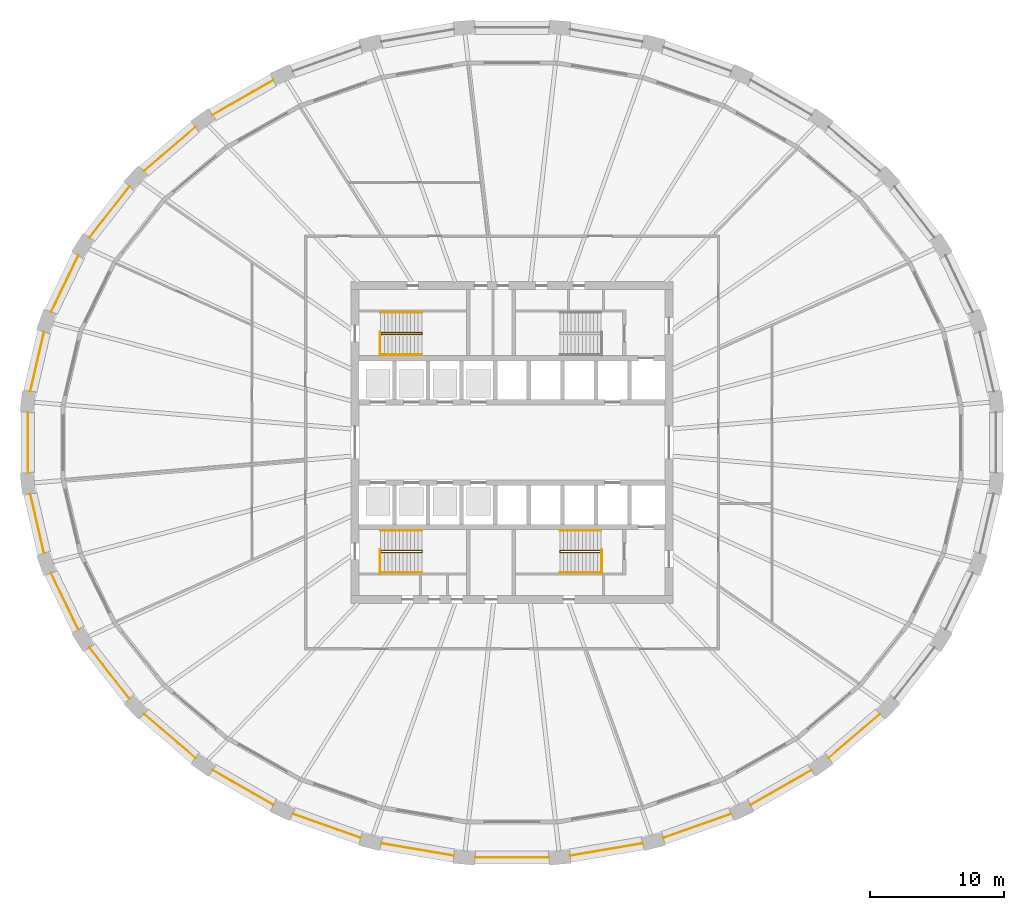
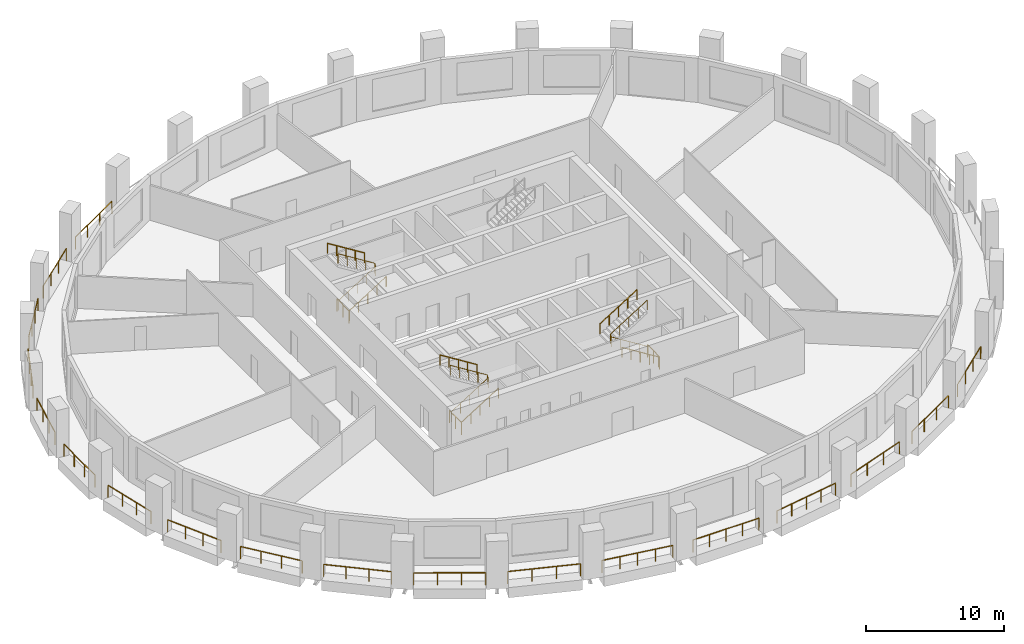
# One storey, part 8 of 10: 30 railings.
"""IFC4 building model written with IfcOpenShell, lengths in metres."""

from ifc_helpers import new_model, si_unit, direction, frame, origin, origin_2d, place, context, subcontext, project, spatial, circle, extrude, material, type_object, element, save


model = new_model("IFC4")

# Units and contexts
model_context = context("Model", 3, precision=1e-05, world=origin(), true_north=direction((0.0, 1.0)))
body_context = subcontext(model_context, "Body", "Model", "MODEL_VIEW")
ifc_project = project(units=[si_unit("LENGTHUNIT", "METRE"), si_unit("AREAUNIT", "SQUARE_METRE"), si_unit("VOLUMEUNIT", "CUBIC_METRE"), si_unit("PLANEANGLEUNIT", "RADIAN"), si_unit("MASSUNIT", "GRAM", prefix="KILO")], contexts=[model_context])

# Site, building, storey
site_placement = place(None, origin())
site = spatial("IfcSite", under=ifc_project, at=site_placement, CompositionType="ELEMENT")
building_placement = place(site_placement, origin())
building = spatial("IfcBuilding", under=site, at=building_placement, Name="Halqa Exchange Tower", CompositionType="ELEMENT")
storey_placement = place(building_placement, frame((0.0, 0.0, 86.5)))
storey = spatial("IfcBuildingStorey", under=building, at=storey_placement, Name="L19", CompositionType="ELEMENT", Elevation=86.5)

# Railings
ifc_material = material(Name="Stainless steel", Category="steel")
railing_type_1 = type_object("IfcRailingType", Name="Guard 1100 stainless steel", PredefinedType="GUARDRAIL", material=ifc_material)
railing_1_placement = place(storey_placement, frame((-17.801025390625, 27.034912109375, 0.0)))
element("IfcRailing", 1, at=railing_1_placement, inside=storey, type_object=railing_type_1, Name="Loggia guard 11", PredefinedType="GUARDRAIL", context=body_context, shape_type="SweptSolid", body=[
    extrude(circle(Radius=0.02392578125, at=origin_2d()), frame((0.0, 0.0, 1.076171875), z_axis=(-0.867755983437, -0.496990496096, 0.0), x_axis=(0.496990496096, -0.867755983437, 0.0)), (0.0, 0.0, 1.0), 5.216552734375),
    extrude(circle(Radius=0.02099609375, at=origin_2d()), origin(), (0.0, 0.0, 1.0), 1.052001953125),
    extrude(circle(Radius=0.02099609375, at=origin_2d()), frame((-1.5087890625, -0.8642578125, 0.0)), (0.0, 0.0, 1.0), 1.052001953125),
    extrude(circle(Radius=0.02099609375, at=origin_2d()), frame((-3.017822265625, -1.728271484375, 0.0)), (0.0, 0.0, 1.0), 1.052001953125),
    extrude(circle(Radius=0.02099609375, at=origin_2d()), frame((-4.526611328125, -2.592529296875, 0.0)), (0.0, 0.0, 1.0), 1.052001953125),
])
railing_2_placement = place(storey_placement, frame((-23.629150390625, 23.524169921875, 0.0)))
element("IfcRailing", 2, at=railing_2_placement, inside=storey, type_object=railing_type_1, Name="Loggia guard 12", PredefinedType="GUARDRAIL", context=body_context, shape_type="SweptSolid", body=[
    extrude(circle(Radius=0.02392578125, at=origin_2d()), frame((0.0, 0.0, 1.076171875), z_axis=(-0.759263460736, -0.650783371938, 0.0), x_axis=(0.650783371938, -0.759263460736, 0.0)), (0.0, 0.0, 1.0), 5.025390625),
    extrude(circle(Radius=0.02099609375, at=origin_2d()), origin(), (0.0, 0.0, 1.0), 1.052001953125),
    extrude(circle(Radius=0.02099609375, at=origin_2d()), frame((-1.27197265625, -1.090087890625, 0.0)), (0.0, 0.0, 1.0), 1.052001953125),
    extrude(circle(Radius=0.02099609375, at=origin_2d()), frame((-2.543701171875, -2.180419921875, 0.0)), (0.0, 0.0, 1.0), 1.052001953125),
    extrude(circle(Radius=0.02099609375, at=origin_2d()), frame((-3.815673828125, -3.2705078125, 0.0)), (0.0, 0.0, 1.0), 1.052001953125),
])
railing_3_placement = place(storey_placement, frame((-28.5439453125, 19.10205078125, 0.0)))
element("IfcRailing", 3, at=railing_3_placement, inside=storey, type_object=railing_type_1, Name="Loggia guard 13", PredefinedType="GUARDRAIL", context=body_context, shape_type="SweptSolid", body=[
    extrude(circle(Radius=0.02392578125, at=origin_2d()), frame((0.0, 0.0, 1.076171875), z_axis=(-0.614804814525, -0.788679301133, 0.0), x_axis=(0.788679301133, -0.614804814525, 0.0)), (0.0, 0.0, 1.0), 4.828857421875),
    extrude(circle(Radius=0.02099609375, at=origin_2d()), origin(), (0.0, 0.0, 1.0), 1.052001953125),
    extrude(circle(Radius=0.02099609375, at=origin_2d()), frame((-0.989501953125, -1.26953125, 0.0)), (0.0, 0.0, 1.0), 1.052001953125),
    extrude(circle(Radius=0.02099609375, at=origin_2d()), frame((-1.979248046875, -2.538818359375, 0.0)), (0.0, 0.0, 1.0), 1.052001953125),
    extrude(circle(Radius=0.02099609375, at=origin_2d()), frame((-2.96875, -3.808349609375, 0.0)), (0.0, 0.0, 1.0), 1.052001953125),
])
railing_4_placement = place(storey_placement, frame((-32.3525390625, 13.942626953125, 0.0)))
element("IfcRailing", 4, at=railing_4_placement, inside=storey, type_object=railing_type_1, Name="Loggia guard 14", PredefinedType="GUARDRAIL", context=body_context, shape_type="SweptSolid", body=[
    extrude(circle(Radius=0.02392578125, at=origin_2d()), frame((0.0, 0.0, 1.076171875), z_axis=(-0.435136078438, -0.900364700131, 0.0), x_axis=(0.900364700131, -0.435136078438, 0.0)), (0.0, 0.0, 1.0), 4.65673828125),
    extrude(circle(Radius=0.02099609375, at=origin_2d()), origin(), (0.0, 0.0, 1.0), 1.052001953125),
    extrude(circle(Radius=0.02099609375, at=origin_2d()), frame((-0.675537109375, -1.397705078125, 0.0)), (0.0, 0.0, 1.0), 1.052001953125),
    extrude(circle(Radius=0.02099609375, at=origin_2d()), frame((-1.350830078125, -2.795166015625, 0.0)), (0.0, 0.0, 1.0), 1.052001953125),
    extrude(circle(Radius=0.02099609375, at=origin_2d()), frame((-2.0263671875, -4.19287109375, 0.0)), (0.0, 0.0, 1.0), 1.052001953125),
])
railing_5_placement = place(storey_placement, frame((-34.90771484375, 8.25, 0.0)))
element("IfcRailing", 5, at=railing_5_placement, inside=storey, type_object=railing_type_1, Name="Loggia guard 15", PredefinedType="GUARDRAIL", context=body_context, shape_type="SweptSolid", body=[
    extrude(circle(Radius=0.02392578125, at=origin_2d()), frame((0.0, 0.0, 1.076171875), z_axis=(-0.226049512148, -0.974115813473, 0.0), x_axis=(0.974115813473, -0.226049512148, 0.0)), (0.0, 0.0, 1.0), 4.539306640625),
    extrude(circle(Radius=0.02099609375, at=origin_2d()), origin(), (0.0, 0.0, 1.0), 1.052001953125),
    extrude(circle(Radius=0.02099609375, at=origin_2d()), frame((-0.342041015625, -1.473876953125, 0.0)), (0.0, 0.0, 1.0), 1.052001953125),
    extrude(circle(Radius=0.02099609375, at=origin_2d()), frame((-0.68408203125, -2.947998046875, 0.0)), (0.0, 0.0, 1.0), 1.052001953125),
    extrude(circle(Radius=0.02099609375, at=origin_2d()), frame((-1.026123046875, -4.421875, 0.0)), (0.0, 0.0, 1.0), 1.052001953125),
])
railing_6_placement = place(storey_placement, frame((-36.11474609375, 2.248779296875, 0.0)))
element("IfcRailing", 6, at=railing_6_placement, inside=storey, type_object=railing_type_1, Name="Loggia guard 16", PredefinedType="GUARDRAIL", context=body_context, shape_type="SweptSolid", body=[
    extrude(circle(Radius=0.02392578125, at=origin_2d()), frame((0.0, 0.0, 1.076171875), z_axis=(0.0, -1.0, 0.0), x_axis=(1.0, 0.0, 0.0)), (0.0, 0.0, 1.0), 4.49755859375),
    extrude(circle(Radius=0.02099609375, at=origin_2d()), origin(), (0.0, 0.0, 1.0), 1.052001953125),
    extrude(circle(Radius=0.02099609375, at=origin_2d()), frame((0.0, -1.499267578125, 0.0)), (0.0, 0.0, 1.0), 1.052001953125),
    extrude(circle(Radius=0.02099609375, at=origin_2d()), frame((0.0, -2.998291015625, 0.0)), (0.0, 0.0, 1.0), 1.052001953125),
    extrude(circle(Radius=0.02099609375, at=origin_2d()), frame((0.0, -4.49755859375, 0.0)), (0.0, 0.0, 1.0), 1.052001953125),
])
railing_7_placement = place(storey_placement, frame((-35.933837890625, -3.828125, 0.0)))
element("IfcRailing", 7, at=railing_7_placement, inside=storey, type_object=railing_type_1, Name="Loggia guard 17", PredefinedType="GUARDRAIL", context=body_context, shape_type="SweptSolid", body=[
    extrude(circle(Radius=0.02392578125, at=origin_2d()), frame((0.0, 0.0, 1.076171875), z_axis=(0.226049512148, -0.974115813473, 0.0), x_axis=(0.974115813473, 0.226049512148, 0.0)), (0.0, 0.0, 1.0), 4.539306640625),
    extrude(circle(Radius=0.02099609375, at=origin_2d()), origin(), (0.0, 0.0, 1.0), 1.052001953125),
    extrude(circle(Radius=0.02099609375, at=origin_2d()), frame((0.342041015625, -1.473876953125, 0.0)), (0.0, 0.0, 1.0), 1.052001953125),
    extrude(circle(Radius=0.02099609375, at=origin_2d()), frame((0.68408203125, -2.947998046875, 0.0)), (0.0, 0.0, 1.0), 1.052001953125),
    extrude(circle(Radius=0.02099609375, at=origin_2d()), frame((1.026123046875, -4.421875, 0.0)), (0.0, 0.0, 1.0), 1.052001953125),
])
railing_8_placement = place(storey_placement, frame((-34.37890625, -9.749755859375, 0.0)))
element("IfcRailing", 8, at=railing_8_placement, inside=storey, type_object=railing_type_1, Name="Loggia guard 18", PredefinedType="GUARDRAIL", context=body_context, shape_type="SweptSolid", body=[
    extrude(circle(Radius=0.02392578125, at=origin_2d()), frame((0.0, 0.0, 1.076171875), z_axis=(0.435136078438, -0.900364700131, 0.0), x_axis=(0.900364700131, 0.435136078438, 0.0)), (0.0, 0.0, 1.0), 4.65673828125),
    extrude(circle(Radius=0.02099609375, at=origin_2d()), origin(), (0.0, 0.0, 1.0), 1.052001953125),
    extrude(circle(Radius=0.02099609375, at=origin_2d()), frame((0.675537109375, -1.397705078125, 0.0)), (0.0, 0.0, 1.0), 1.052001953125),
    extrude(circle(Radius=0.02099609375, at=origin_2d()), frame((1.350830078125, -2.795166015625, 0.0)), (0.0, 0.0, 1.0), 1.052001953125),
    extrude(circle(Radius=0.02099609375, at=origin_2d()), frame((2.0263671875, -4.19287109375, 0.0)), (0.0, 0.0, 1.0), 1.052001953125),
])
railing_9_placement = place(storey_placement, frame((-31.5126953125, -15.293701171875, 0.0)))
element("IfcRailing", 9, at=railing_9_placement, inside=storey, type_object=railing_type_1, Name="Loggia guard 19", PredefinedType="GUARDRAIL", context=body_context, shape_type="SweptSolid", body=[
    extrude(circle(Radius=0.02392578125, at=origin_2d()), frame((0.0, 0.0, 1.076171875), z_axis=(0.614804814525, -0.788679301133, 0.0), x_axis=(0.788679301133, 0.614804814525, 0.0)), (0.0, 0.0, 1.0), 4.828857421875),
    extrude(circle(Radius=0.02099609375, at=origin_2d()), origin(), (0.0, 0.0, 1.0), 1.052001953125),
    extrude(circle(Radius=0.02099609375, at=origin_2d()), frame((0.989501953125, -1.26953125, 0.0)), (0.0, 0.0, 1.0), 1.052001953125),
    extrude(circle(Radius=0.02099609375, at=origin_2d()), frame((1.979248046875, -2.538818359375, 0.0)), (0.0, 0.0, 1.0), 1.052001953125),
    extrude(circle(Radius=0.02099609375, at=origin_2d()), frame((2.96875, -3.808349609375, 0.0)), (0.0, 0.0, 1.0), 1.052001953125),
])
railing_10_placement = place(storey_placement, frame((-27.44482421875, -20.253662109375, 0.0)))
element("IfcRailing", 10, at=railing_10_placement, inside=storey, type_object=railing_type_1, Name="Loggia guard 20", PredefinedType="GUARDRAIL", context=body_context, shape_type="SweptSolid", body=[
    extrude(circle(Radius=0.02392578125, at=origin_2d()), frame((0.0, 0.0, 1.076171875), z_axis=(0.759263460736, -0.650783371938, 0.0), x_axis=(0.650783371938, 0.759263460736, 0.0)), (0.0, 0.0, 1.0), 5.025390625),
    extrude(circle(Radius=0.02099609375, at=origin_2d()), origin(), (0.0, 0.0, 1.0), 1.052001953125),
    extrude(circle(Radius=0.02099609375, at=origin_2d()), frame((1.27197265625, -1.090087890625, 0.0)), (0.0, 0.0, 1.0), 1.052001953125),
    extrude(circle(Radius=0.02099609375, at=origin_2d()), frame((2.543701171875, -2.180419921875, 0.0)), (0.0, 0.0, 1.0), 1.052001953125),
    extrude(circle(Radius=0.02099609375, at=origin_2d()), frame((3.815673828125, -3.2705078125, 0.0)), (0.0, 0.0, 1.0), 1.052001953125),
])
railing_11_placement = place(storey_placement, frame((-22.32763671875, -24.4423828125, 0.0)))
element("IfcRailing", 11, at=railing_11_placement, inside=storey, type_object=railing_type_1, Name="Loggia guard 21", PredefinedType="GUARDRAIL", context=body_context, shape_type="SweptSolid", body=[
    extrude(circle(Radius=0.02392578125, at=origin_2d()), frame((0.0, 0.0, 1.076171875), z_axis=(0.867755983437, -0.496990496096, 0.0), x_axis=(0.496990496096, 0.867755983437, 0.0)), (0.0, 0.0, 1.0), 5.216552734375),
    extrude(circle(Radius=0.02099609375, at=origin_2d()), origin(), (0.0, 0.0, 1.0), 1.052001953125),
    extrude(circle(Radius=0.02099609375, at=origin_2d()), frame((1.5087890625, -0.8642578125, 0.0)), (0.0, 0.0, 1.0), 1.052001953125),
    extrude(circle(Radius=0.02099609375, at=origin_2d()), frame((3.017822265625, -1.728271484375, 0.0)), (0.0, 0.0, 1.0), 1.052001953125),
    extrude(circle(Radius=0.02099609375, at=origin_2d()), frame((4.526611328125, -2.592529296875, 0.0)), (0.0, 0.0, 1.0), 1.052001953125),
])
railing_12_placement = place(storey_placement, frame((-16.352783203125, -27.7001953125, 0.0)))
element("IfcRailing", 12, at=railing_12_placement, inside=storey, type_object=railing_type_1, Name="Loggia guard 22", PredefinedType="GUARDRAIL", context=body_context, shape_type="SweptSolid", body=[
    extrude(circle(Radius=0.02392578125, at=origin_2d()), frame((0.0, 0.0, 1.076171875), z_axis=(0.942372313915, -0.334566020341, 0.0), x_axis=(0.334566020341, 0.942372313915, 0.0)), (0.0, 0.0, 1.0), 5.37451171875),
    extrude(circle(Radius=0.02099609375, at=origin_2d()), origin(), (0.0, 0.0, 1.0), 1.052001953125),
    extrude(circle(Radius=0.02099609375, at=origin_2d()), frame((1.688232421875, -0.599365234375, 0.0)), (0.0, 0.0, 1.0), 1.052001953125),
    extrude(circle(Radius=0.02099609375, at=origin_2d()), frame((3.37646484375, -1.19873046875, 0.0)), (0.0, 0.0, 1.0), 1.052001953125),
    extrude(circle(Radius=0.02099609375, at=origin_2d()), frame((5.064697265625, -1.798095703125, 0.0)), (0.0, 0.0, 1.0), 1.052001953125),
])
railing_13_placement = place(storey_placement, frame((-9.74560546875, -29.900390625, 0.0)))
element("IfcRailing", 13, at=railing_13_placement, inside=storey, type_object=railing_type_1, Name="Loggia guard 23", PredefinedType="GUARDRAIL", context=body_context, shape_type="SweptSolid", body=[
    extrude(circle(Radius=0.02392578125, at=origin_2d()), frame((0.0, 0.0, 1.076171875), z_axis=(0.985775171727, -0.168069363079, 0.0), x_axis=(0.168069363079, 0.985775171727, 0.0)), (0.0, 0.0, 1.0), 5.477783203125),
    extrude(circle(Radius=0.02099609375, at=origin_2d()), origin(), (0.0, 0.0, 1.0), 1.052001953125),
    extrude(circle(Radius=0.02099609375, at=origin_2d()), frame((1.35009765625, -0.230224609375, 0.0)), (0.0, 0.0, 1.0), 1.052001953125),
    extrude(circle(Radius=0.02099609375, at=origin_2d()), frame((2.699951171875, -0.46044921875, 0.0)), (0.0, 0.0, 1.0), 1.052001953125),
    extrude(circle(Radius=0.02099609375, at=origin_2d()), frame((4.0498046875, -0.6904296875, 0.0)), (0.0, 0.0, 1.0), 1.052001953125),
    extrude(circle(Radius=0.02099609375, at=origin_2d()), frame((5.39990234375, -0.920654296875, 0.0)), (0.0, 0.0, 1.0), 1.052001953125),
])
railing_14_placement = place(storey_placement, frame((-2.757080078125, -30.95556640625, 0.0)))
element("IfcRailing", 14, at=railing_14_placement, inside=storey, type_object=railing_type_1, Name="Loggia guard 24", PredefinedType="GUARDRAIL", context=body_context, shape_type="SweptSolid", body=[
    extrude(circle(Radius=0.02392578125, at=origin_2d()), frame((0.0, 0.0, 1.076171875), z_axis=(1.0, 0.0, 0.0), x_axis=(0.0, 1.0, 0.0)), (0.0, 0.0, 1.0), 5.51416015625),
    extrude(circle(Radius=0.02099609375, at=origin_2d()), origin(), (0.0, 0.0, 1.0), 1.052001953125),
    extrude(circle(Radius=0.02099609375, at=origin_2d()), frame((1.37841796875, 0.0, 0.0)), (0.0, 0.0, 1.0), 1.052001953125),
    extrude(circle(Radius=0.02099609375, at=origin_2d()), frame((2.757080078125, 0.0, 0.0)), (0.0, 0.0, 1.0), 1.052001953125),
    extrude(circle(Radius=0.02099609375, at=origin_2d()), frame((4.1357421875, 0.0, 0.0)), (0.0, 0.0, 1.0), 1.052001953125),
    extrude(circle(Radius=0.02099609375, at=origin_2d()), frame((5.51416015625, 0.0, 0.0)), (0.0, 0.0, 1.0), 1.052001953125),
])
railing_15_placement = place(storey_placement, frame((4.345703125, -30.821044921875, 0.0)))
element("IfcRailing", 15, at=railing_15_placement, inside=storey, type_object=railing_type_1, Name="Loggia guard 25", PredefinedType="GUARDRAIL", context=body_context, shape_type="SweptSolid", body=[
    extrude(circle(Radius=0.02392578125, at=origin_2d()), frame((0.0, 0.0, 1.076171875), z_axis=(0.985775171727, 0.168069363079, 0.0), x_axis=(-0.168069363079, 0.985775171727, 0.0)), (0.0, 0.0, 1.0), 5.477783203125),
    extrude(circle(Radius=0.02099609375, at=origin_2d()), origin(), (0.0, 0.0, 1.0), 1.052001953125),
    extrude(circle(Radius=0.02099609375, at=origin_2d()), frame((1.35009765625, 0.230224609375, 0.0)), (0.0, 0.0, 1.0), 1.052001953125),
    extrude(circle(Radius=0.02099609375, at=origin_2d()), frame((2.699951171875, 0.46044921875, 0.0)), (0.0, 0.0, 1.0), 1.052001953125),
    extrude(circle(Radius=0.02099609375, at=origin_2d()), frame((4.0498046875, 0.6904296875, 0.0)), (0.0, 0.0, 1.0), 1.052001953125),
    extrude(circle(Radius=0.02099609375, at=origin_2d()), frame((5.39990234375, 0.920654296875, 0.0)), (0.0, 0.0, 1.0), 1.052001953125),
])
railing_16_placement = place(storey_placement, frame((11.2880859375, -29.498291015625, 0.0)))
element("IfcRailing", 16, at=railing_16_placement, inside=storey, type_object=railing_type_1, Name="Loggia guard 26", PredefinedType="GUARDRAIL", context=body_context, shape_type="SweptSolid", body=[
    extrude(circle(Radius=0.02392578125, at=origin_2d()), frame((0.0, 0.0, 1.076171875), z_axis=(0.942372313915, 0.334566020341, 0.0), x_axis=(-0.334566020341, 0.942372313915, 0.0)), (0.0, 0.0, 1.0), 5.37451171875),
    extrude(circle(Radius=0.02099609375, at=origin_2d()), origin(), (0.0, 0.0, 1.0), 1.052001953125),
    extrude(circle(Radius=0.02099609375, at=origin_2d()), frame((1.688232421875, 0.599365234375, 0.0)), (0.0, 0.0, 1.0), 1.052001953125),
    extrude(circle(Radius=0.02099609375, at=origin_2d()), frame((3.37646484375, 1.19873046875, 0.0)), (0.0, 0.0, 1.0), 1.052001953125),
    extrude(circle(Radius=0.02099609375, at=origin_2d()), frame((5.064697265625, 1.798095703125, 0.0)), (0.0, 0.0, 1.0), 1.052001953125),
])
railing_17_placement = place(storey_placement, frame((17.801025390625, -27.034912109375, 0.0)))
element("IfcRailing", 17, at=railing_17_placement, inside=storey, type_object=railing_type_1, Name="Loggia guard 27", PredefinedType="GUARDRAIL", context=body_context, shape_type="SweptSolid", body=[
    extrude(circle(Radius=0.02392578125, at=origin_2d()), frame((0.0, 0.0, 1.076171875), z_axis=(0.867755983437, 0.496990496096, 0.0), x_axis=(-0.496990496096, 0.867755983437, 0.0)), (0.0, 0.0, 1.0), 5.216552734375),
    extrude(circle(Radius=0.02099609375, at=origin_2d()), origin(), (0.0, 0.0, 1.0), 1.052001953125),
    extrude(circle(Radius=0.02099609375, at=origin_2d()), frame((1.5087890625, 0.8642578125, 0.0)), (0.0, 0.0, 1.0), 1.052001953125),
    extrude(circle(Radius=0.02099609375, at=origin_2d()), frame((3.017822265625, 1.728271484375, 0.0)), (0.0, 0.0, 1.0), 1.052001953125),
    extrude(circle(Radius=0.02099609375, at=origin_2d()), frame((4.526611328125, 2.592529296875, 0.0)), (0.0, 0.0, 1.0), 1.052001953125),
])
railing_18_placement = place(storey_placement, frame((23.629150390625, -23.524169921875, 0.0)))
element("IfcRailing", 18, at=railing_18_placement, inside=storey, type_object=railing_type_1, Name="Loggia guard 28", PredefinedType="GUARDRAIL", context=body_context, shape_type="SweptSolid", body=[
    extrude(circle(Radius=0.02392578125, at=origin_2d()), frame((0.0, 0.0, 1.076171875), z_axis=(0.759263460736, 0.650783371938, 0.0), x_axis=(-0.650783371938, 0.759263460736, 0.0)), (0.0, 0.0, 1.0), 5.025390625),
    extrude(circle(Radius=0.02099609375, at=origin_2d()), origin(), (0.0, 0.0, 1.0), 1.052001953125),
    extrude(circle(Radius=0.02099609375, at=origin_2d()), frame((1.27197265625, 1.090087890625, 0.0)), (0.0, 0.0, 1.0), 1.052001953125),
    extrude(circle(Radius=0.02099609375, at=origin_2d()), frame((2.543701171875, 2.180419921875, 0.0)), (0.0, 0.0, 1.0), 1.052001953125),
    extrude(circle(Radius=0.02099609375, at=origin_2d()), frame((3.815673828125, 3.2705078125, 0.0)), (0.0, 0.0, 1.0), 1.052001953125),
])
railing_type_2 = type_object("IfcRailingType", Name="Stair handrail 900", PredefinedType="HANDRAIL", material=ifc_material)
railing_19_placement = place(storey_placement, frame((-9.800048828125, 8.06005859375, 0.175048828125)))
element("IfcRailing", 19, at=railing_19_placement, inside=storey, type_object=railing_type_2, Name="Handrail ST1.1", PredefinedType="HANDRAIL", context=body_context, shape_type="SweptSolid", body=[
    extrude(circle(Radius=0.02392578125, at=origin_2d()), frame((0.0, 0.0, 0.8759765625), z_axis=(0.847998304005, 0.0, 0.529998940003), x_axis=(0.0, 1.0, 0.0)), (0.0, 0.0, 1.0), 3.632080078125),
    extrude(circle(Radius=0.02392578125, at=origin_2d()), frame((3.080078125, 0.0, 2.80078125), z_axis=(0.0, 0.596406559517, 0.802682512433), x_axis=(-1.0, 0.0, 0.0)), (0.0, 0.0, 1.0), 0.2177734375),
    extrude(circle(Radius=0.02392578125, at=origin_2d()), frame((3.080078125, 0.1298828125, 2.9755859375), z_axis=(-0.847998304005, 0.0, 0.529998940003), x_axis=(0.0, -1.0, 0.0)), (0.0, 0.0, 1.0), 3.632080078125),
    extrude(circle(Radius=0.02099609375, at=origin_2d()), origin(), (0.0, 0.0, 1.0), 0.851806640625),
    extrude(circle(Radius=0.02099609375, at=origin_2d()), frame((0.77001953125, 0.0, 0.481201171875)), (0.0, 0.0, 1.0), 0.851806640625),
    extrude(circle(Radius=0.02099609375, at=origin_2d()), frame((1.5400390625, 0.0, 0.96240234375)), (0.0, 0.0, 1.0), 0.851806640625),
    extrude(circle(Radius=0.02099609375, at=origin_2d()), frame((2.31005859375, 0.0, 1.44384765625)), (0.0, 0.0, 1.0), 0.851806640625),
    extrude(circle(Radius=0.02099609375, at=origin_2d()), frame((3.080078125, 0.0, 1.925048828125)), (0.0, 0.0, 1.0), 0.851806640625),
    extrude(circle(Radius=0.02099609375, at=origin_2d()), frame((3.080078125, 0.1298828125, 2.099853515625)), (0.0, 0.0, 1.0), 0.851806640625),
    extrude(circle(Radius=0.02099609375, at=origin_2d()), frame((2.31005859375, 0.1298828125, 2.5810546875)), (0.0, 0.0, 1.0), 0.851806640625),
    extrude(circle(Radius=0.02099609375, at=origin_2d()), frame((1.5400390625, 0.1298828125, 3.0625)), (0.0, 0.0, 1.0), 0.851806640625),
    extrude(circle(Radius=0.02099609375, at=origin_2d()), frame((0.77001953125, 0.1298828125, 3.543701171875)), (0.0, 0.0, 1.0), 0.851806640625),
    extrude(circle(Radius=0.02099609375, at=origin_2d()), frame((0.0, 0.1298828125, 4.02490234375)), (0.0, 0.0, 1.0), 0.851806640625),
])
railing_20_placement = place(storey_placement, frame((-9.800048828125, 6.550048828125, 0.175048828125)))
element("IfcRailing", 20, at=railing_20_placement, inside=storey, type_object=railing_type_2, Name="Handrail ST1.2", PredefinedType="HANDRAIL", context=body_context, shape_type="SweptSolid", body=[
    extrude(circle(Radius=0.02392578125, at=origin_2d()), frame((0.0, 0.0, 0.8759765625), z_axis=(0.847998304005, 0.0, 0.529998940003), x_axis=(0.0, 1.0, 0.0)), (0.0, 0.0, 1.0), 3.632080078125),
    extrude(circle(Radius=0.02099609375, at=origin_2d()), origin(), (0.0, 0.0, 1.0), 0.851806640625),
    extrude(circle(Radius=0.02099609375, at=origin_2d()), frame((0.77001953125, 0.0, 0.481201171875)), (0.0, 0.0, 1.0), 0.851806640625),
    extrude(circle(Radius=0.02099609375, at=origin_2d()), frame((1.5400390625, 0.0, 0.96240234375)), (0.0, 0.0, 1.0), 0.851806640625),
    extrude(circle(Radius=0.02099609375, at=origin_2d()), frame((2.31005859375, 0.0, 1.44384765625)), (0.0, 0.0, 1.0), 0.851806640625),
    extrude(circle(Radius=0.02099609375, at=origin_2d()), frame((3.080078125, 0.0, 1.925048828125)), (0.0, 0.0, 1.0), 0.851806640625),
])
railing_21_placement = place(storey_placement, frame((-6.719970703125, 9.699951171875, 2.27490234375)))
element("IfcRailing", 21, at=railing_21_placement, inside=storey, type_object=railing_type_2, Name="Handrail ST1.3", PredefinedType="HANDRAIL", context=body_context, shape_type="SweptSolid", body=[
    extrude(circle(Radius=0.02392578125, at=origin_2d()), frame((0.0, 0.0, 0.8759765625), z_axis=(-0.847998304005, 0.0, 0.529998940003), x_axis=(0.0, -1.0, 0.0)), (0.0, 0.0, 1.0), 3.632080078125),
    extrude(circle(Radius=0.02099609375, at=origin_2d()), origin(), (0.0, 0.0, 1.0), 0.851806640625),
    extrude(circle(Radius=0.02099609375, at=origin_2d()), frame((-0.77001953125, 0.0, 0.481201171875)), (0.0, 0.0, 1.0), 0.851806640625),
    extrude(circle(Radius=0.02099609375, at=origin_2d()), frame((-1.5400390625, 0.0, 0.96240234375)), (0.0, 0.0, 1.0), 0.851806640625),
    extrude(circle(Radius=0.02099609375, at=origin_2d()), frame((-2.31005859375, 0.0, 1.44384765625)), (0.0, 0.0, 1.0), 0.851806640625),
    extrude(circle(Radius=0.02099609375, at=origin_2d()), frame((-3.080078125, 0.0, 1.925048828125)), (0.0, 0.0, 1.0), 0.851806640625),
])
railing_22_placement = place(storey_placement, frame((-9.800048828125, -8.18994140625, 0.175048828125)))
element("IfcRailing", 22, at=railing_22_placement, inside=storey, type_object=railing_type_2, Name="Handrail ST3.1", PredefinedType="HANDRAIL", context=body_context, shape_type="SweptSolid", body=[
    extrude(circle(Radius=0.02392578125, at=origin_2d()), frame((0.0, 0.0, 0.8759765625), z_axis=(0.847998304005, 0.0, 0.529998940003), x_axis=(0.0, 1.0, 0.0)), (0.0, 0.0, 1.0), 3.632080078125),
    extrude(circle(Radius=0.02392578125, at=origin_2d()), frame((3.080078125, 0.0, 2.80078125), z_axis=(0.0, 0.596406559517, 0.802682512433), x_axis=(-1.0, 0.0, 0.0)), (0.0, 0.0, 1.0), 0.2177734375),
    extrude(circle(Radius=0.02392578125, at=origin_2d()), frame((3.080078125, 0.1298828125, 2.9755859375), z_axis=(-0.847998304005, 0.0, 0.529998940003), x_axis=(0.0, -1.0, 0.0)), (0.0, 0.0, 1.0), 3.632080078125),
    extrude(circle(Radius=0.02099609375, at=origin_2d()), origin(), (0.0, 0.0, 1.0), 0.851806640625),
    extrude(circle(Radius=0.02099609375, at=origin_2d()), frame((0.77001953125, 0.0, 0.481201171875)), (0.0, 0.0, 1.0), 0.851806640625),
    extrude(circle(Radius=0.02099609375, at=origin_2d()), frame((1.5400390625, 0.0, 0.96240234375)), (0.0, 0.0, 1.0), 0.851806640625),
    extrude(circle(Radius=0.02099609375, at=origin_2d()), frame((2.31005859375, 0.0, 1.44384765625)), (0.0, 0.0, 1.0), 0.851806640625),
    extrude(circle(Radius=0.02099609375, at=origin_2d()), frame((3.080078125, 0.0, 1.925048828125)), (0.0, 0.0, 1.0), 0.851806640625),
    extrude(circle(Radius=0.02099609375, at=origin_2d()), frame((3.080078125, 0.1298828125, 2.099853515625)), (0.0, 0.0, 1.0), 0.851806640625),
    extrude(circle(Radius=0.02099609375, at=origin_2d()), frame((2.31005859375, 0.1298828125, 2.5810546875)), (0.0, 0.0, 1.0), 0.851806640625),
    extrude(circle(Radius=0.02099609375, at=origin_2d()), frame((1.5400390625, 0.1298828125, 3.0625)), (0.0, 0.0, 1.0), 0.851806640625),
    extrude(circle(Radius=0.02099609375, at=origin_2d()), frame((0.77001953125, 0.1298828125, 3.543701171875)), (0.0, 0.0, 1.0), 0.851806640625),
    extrude(circle(Radius=0.02099609375, at=origin_2d()), frame((0.0, 0.1298828125, 4.02490234375)), (0.0, 0.0, 1.0), 0.851806640625),
])
railing_23_placement = place(storey_placement, frame((-9.800048828125, -9.699951171875, 0.175048828125)))
element("IfcRailing", 23, at=railing_23_placement, inside=storey, type_object=railing_type_2, Name="Handrail ST3.2", PredefinedType="HANDRAIL", context=body_context, shape_type="SweptSolid", body=[
    extrude(circle(Radius=0.02392578125, at=origin_2d()), frame((0.0, 0.0, 0.8759765625), z_axis=(0.847998304005, 0.0, 0.529998940003), x_axis=(0.0, 1.0, 0.0)), (0.0, 0.0, 1.0), 3.632080078125),
    extrude(circle(Radius=0.02099609375, at=origin_2d()), origin(), (0.0, 0.0, 1.0), 0.851806640625),
    extrude(circle(Radius=0.02099609375, at=origin_2d()), frame((0.77001953125, 0.0, 0.481201171875)), (0.0, 0.0, 1.0), 0.851806640625),
    extrude(circle(Radius=0.02099609375, at=origin_2d()), frame((1.5400390625, 0.0, 0.96240234375)), (0.0, 0.0, 1.0), 0.851806640625),
    extrude(circle(Radius=0.02099609375, at=origin_2d()), frame((2.31005859375, 0.0, 1.44384765625)), (0.0, 0.0, 1.0), 0.851806640625),
    extrude(circle(Radius=0.02099609375, at=origin_2d()), frame((3.080078125, 0.0, 1.925048828125)), (0.0, 0.0, 1.0), 0.851806640625),
])
railing_24_placement = place(storey_placement, frame((-6.719970703125, -6.550048828125, 2.27490234375)))
element("IfcRailing", 24, at=railing_24_placement, inside=storey, type_object=railing_type_2, Name="Handrail ST3.3", PredefinedType="HANDRAIL", context=body_context, shape_type="SweptSolid", body=[
    extrude(circle(Radius=0.02392578125, at=origin_2d()), frame((0.0, 0.0, 0.8759765625), z_axis=(-0.847998304005, 0.0, 0.529998940003), x_axis=(0.0, -1.0, 0.0)), (0.0, 0.0, 1.0), 3.632080078125),
    extrude(circle(Radius=0.02099609375, at=origin_2d()), origin(), (0.0, 0.0, 1.0), 0.851806640625),
    extrude(circle(Radius=0.02099609375, at=origin_2d()), frame((-0.77001953125, 0.0, 0.481201171875)), (0.0, 0.0, 1.0), 0.851806640625),
    extrude(circle(Radius=0.02099609375, at=origin_2d()), frame((-1.5400390625, 0.0, 0.96240234375)), (0.0, 0.0, 1.0), 0.851806640625),
    extrude(circle(Radius=0.02099609375, at=origin_2d()), frame((-2.31005859375, 0.0, 1.44384765625)), (0.0, 0.0, 1.0), 0.851806640625),
    extrude(circle(Radius=0.02099609375, at=origin_2d()), frame((-3.080078125, 0.0, 1.925048828125)), (0.0, 0.0, 1.0), 0.851806640625),
])
railing_25_placement = place(storey_placement, frame((6.64990234375, -8.18994140625, 0.175048828125)))
element("IfcRailing", 25, at=railing_25_placement, inside=storey, type_object=railing_type_2, Name="Handrail ST4.1", PredefinedType="HANDRAIL", context=body_context, shape_type="SweptSolid", body=[
    extrude(circle(Radius=0.02392578125, at=origin_2d()), frame((0.0, 0.0, 0.8759765625), z_axis=(-0.847979421464, 0.0, 0.530029150871), x_axis=(0.0, -1.0, 0.0)), (0.0, 0.0, 1.0), 3.632080078125),
    extrude(circle(Radius=0.02392578125, at=origin_2d()), frame((-3.079833984375, 0.0, 2.80078125), z_axis=(0.0, 0.596406559517, 0.802682512433), x_axis=(-1.0, 0.0, 0.0)), (0.0, 0.0, 1.0), 0.2177734375),
    extrude(circle(Radius=0.02392578125, at=origin_2d()), frame((-3.079833984375, 0.1298828125, 2.9755859375), z_axis=(0.847979421464, 0.0, 0.530029150871), x_axis=(0.0, 1.0, 0.0)), (0.0, 0.0, 1.0), 3.632080078125),
    extrude(circle(Radius=0.02099609375, at=origin_2d()), origin(), (0.0, 0.0, 1.0), 0.851806640625),
    extrude(circle(Radius=0.02099609375, at=origin_2d()), frame((-0.77001953125, 0.0, 0.481201171875)), (0.0, 0.0, 1.0), 0.851806640625),
    extrude(circle(Radius=0.02099609375, at=origin_2d()), frame((-1.5400390625, 0.0, 0.96240234375)), (0.0, 0.0, 1.0), 0.851806640625),
    extrude(circle(Radius=0.02099609375, at=origin_2d()), frame((-2.309814453125, 0.0, 1.44384765625)), (0.0, 0.0, 1.0), 0.851806640625),
    extrude(circle(Radius=0.02099609375, at=origin_2d()), frame((-3.079833984375, 0.0, 1.925048828125)), (0.0, 0.0, 1.0), 0.851806640625),
    extrude(circle(Radius=0.02099609375, at=origin_2d()), frame((-3.079833984375, 0.1298828125, 2.099853515625)), (0.0, 0.0, 1.0), 0.851806640625),
    extrude(circle(Radius=0.02099609375, at=origin_2d()), frame((-2.309814453125, 0.1298828125, 2.5810546875)), (0.0, 0.0, 1.0), 0.851806640625),
    extrude(circle(Radius=0.02099609375, at=origin_2d()), frame((-1.5400390625, 0.1298828125, 3.0625)), (0.0, 0.0, 1.0), 0.851806640625),
    extrude(circle(Radius=0.02099609375, at=origin_2d()), frame((-0.77001953125, 0.1298828125, 3.543701171875)), (0.0, 0.0, 1.0), 0.851806640625),
    extrude(circle(Radius=0.02099609375, at=origin_2d()), frame((0.0, 0.1298828125, 4.02490234375)), (0.0, 0.0, 1.0), 0.851806640625),
])
railing_26_placement = place(storey_placement, frame((6.64990234375, -9.699951171875, 0.175048828125)))
element("IfcRailing", 26, at=railing_26_placement, inside=storey, type_object=railing_type_2, Name="Handrail ST4.2", PredefinedType="HANDRAIL", context=body_context, shape_type="SweptSolid", body=[
    extrude(circle(Radius=0.02392578125, at=origin_2d()), frame((0.0, 0.0, 0.8759765625), z_axis=(-0.847979421464, 0.0, 0.530029150871), x_axis=(0.0, -1.0, 0.0)), (0.0, 0.0, 1.0), 3.632080078125),
    extrude(circle(Radius=0.02099609375, at=origin_2d()), origin(), (0.0, 0.0, 1.0), 0.851806640625),
    extrude(circle(Radius=0.02099609375, at=origin_2d()), frame((-0.77001953125, 0.0, 0.481201171875)), (0.0, 0.0, 1.0), 0.851806640625),
    extrude(circle(Radius=0.02099609375, at=origin_2d()), frame((-1.5400390625, 0.0, 0.96240234375)), (0.0, 0.0, 1.0), 0.851806640625),
    extrude(circle(Radius=0.02099609375, at=origin_2d()), frame((-2.309814453125, 0.0, 1.44384765625)), (0.0, 0.0, 1.0), 0.851806640625),
    extrude(circle(Radius=0.02099609375, at=origin_2d()), frame((-3.079833984375, 0.0, 1.925048828125)), (0.0, 0.0, 1.0), 0.851806640625),
])
railing_27_placement = place(storey_placement, frame((3.570068359375, -6.550048828125, 2.27490234375)))
element("IfcRailing", 27, at=railing_27_placement, inside=storey, type_object=railing_type_2, Name="Handrail ST4.3", PredefinedType="HANDRAIL", context=body_context, shape_type="SweptSolid", body=[
    extrude(circle(Radius=0.02392578125, at=origin_2d()), frame((0.0, 0.0, 0.8759765625), z_axis=(0.847979421464, 0.0, 0.530029150871), x_axis=(0.0, 1.0, 0.0)), (0.0, 0.0, 1.0), 3.632080078125),
    extrude(circle(Radius=0.02099609375, at=origin_2d()), origin(), (0.0, 0.0, 1.0), 0.851806640625),
    extrude(circle(Radius=0.02099609375, at=origin_2d()), frame((0.77001953125, 0.0, 0.481201171875)), (0.0, 0.0, 1.0), 0.851806640625),
    extrude(circle(Radius=0.02099609375, at=origin_2d()), frame((1.5400390625, 0.0, 0.96240234375)), (0.0, 0.0, 1.0), 0.851806640625),
    extrude(circle(Radius=0.02099609375, at=origin_2d()), frame((2.309814453125, 0.0, 1.44384765625)), (0.0, 0.0, 1.0), 0.851806640625),
    extrude(circle(Radius=0.02099609375, at=origin_2d()), frame((3.079833984375, 0.0, 1.925048828125)), (0.0, 0.0, 1.0), 0.851806640625),
])
railing_type_3 = type_object("IfcRailingType", Name="Stair well guard 1100", PredefinedType="GUARDRAIL", material=ifc_material)
for number, where, name in (
    (28, (-9.85009765625, 6.5, 0.0), "Guard ST1 well"),
    (29, (-9.85009765625, -9.75, 0.0), "Guard ST3 well"),
    (30, (6.699951171875, -9.75, 0.0), "Guard ST4 well"),
):
    element("IfcRailing", number, at=place(storey_placement, frame(where)), inside=storey, type_object=railing_type_3, Name=name, PredefinedType="GUARDRAIL", context=body_context, shape_type="SweptSolid", body=[
        extrude(circle(Radius=0.02392578125, at=origin_2d()), frame((0.0, 0.0, 1.076171875), z_axis=(0.0, 1.0, 0.0), x_axis=(-1.0, 0.0, 0.0)), (0.0, 0.0, 1.0), 1.75),
        extrude(circle(Radius=0.02099609375, at=origin_2d()), origin(), (0.0, 0.0, 1.0), 1.052001953125),
        extrude(circle(Radius=0.02099609375, at=origin_2d()), frame((0.0, 0.875, 0.0)), (0.0, 0.0, 1.0), 1.052001953125),
        extrude(circle(Radius=0.02099609375, at=origin_2d()), frame((0.0, 1.75, 0.0)), (0.0, 0.0, 1.0), 1.052001953125),
    ])

save(model, "model.ifc")
